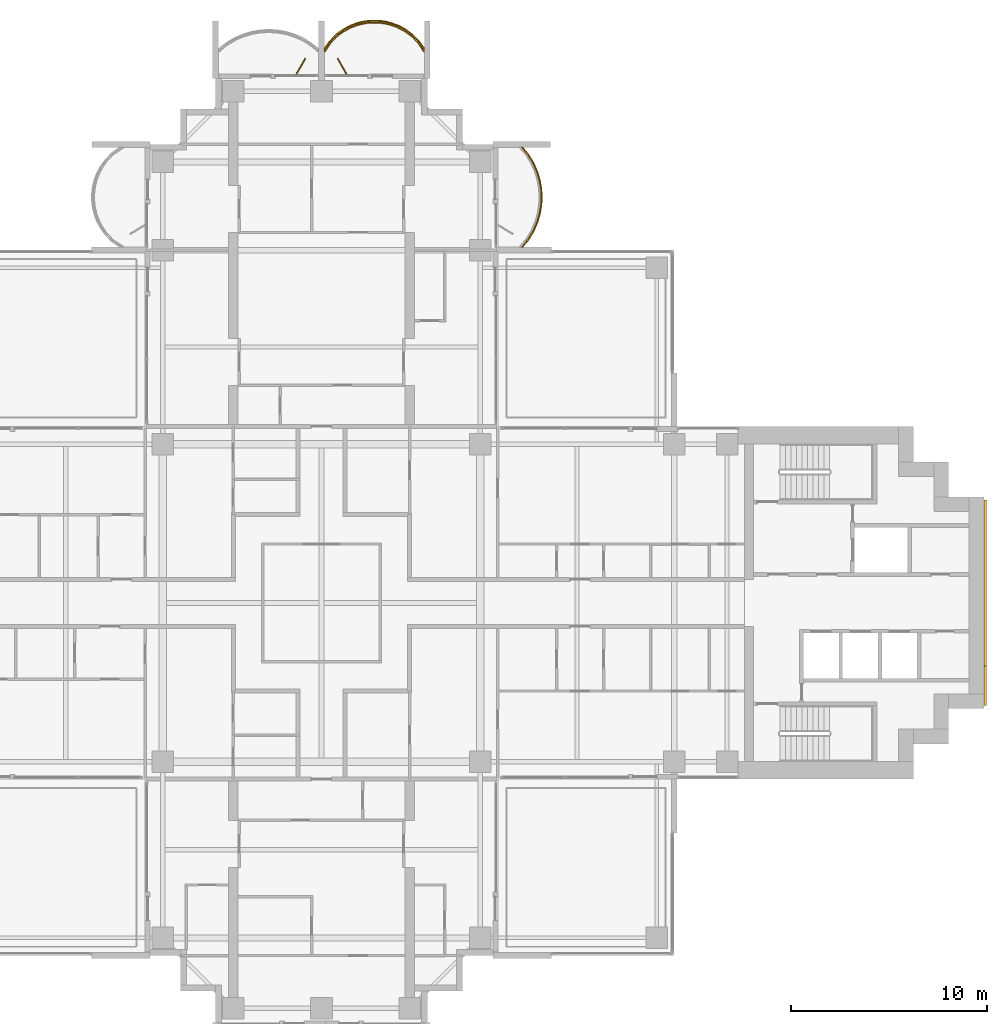
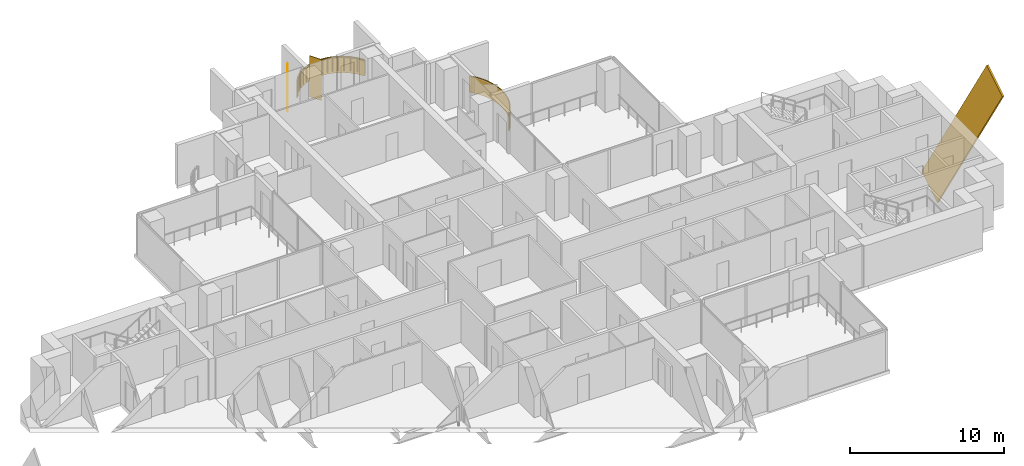
# One storey, part 18 of 18: 3 coverings, 2 shading devices, 1 railing.
"""IFC4 building model written with IfcOpenShell, lengths in metres."""

from ifc_helpers import new_model, si_unit, direction, frame, origin, origin_2d, place, context, subcontext, project, spatial, polyline, rectangle, outline, extrude, material, layer, layer_set, material_profile, profile_set, type_object, element, save


model = new_model("IFC4")

# Units and contexts
model_context = context("Model", 3, precision=1e-05, world=origin(), true_north=direction((0.0, 1.0)))
body_context = subcontext(model_context, "Body", "Model", "MODEL_VIEW")
ifc_project = project(units=[si_unit("LENGTHUNIT", "METRE"), si_unit("AREAUNIT", "SQUARE_METRE"), si_unit("VOLUMEUNIT", "CUBIC_METRE"), si_unit("PLANEANGLEUNIT", "RADIAN"), si_unit("MASSUNIT", "GRAM", prefix="KILO")], contexts=[model_context])

# Site, building, storey
site_placement = place(None, origin())
site = spatial("IfcSite", under=ifc_project, at=site_placement, CompositionType="ELEMENT")
building_placement = place(site_placement, origin())
building = spatial("IfcBuilding", under=site, at=building_placement, Name="Perihelion Cross Residences", CompositionType="ELEMENT")
storey_placement = place(building_placement, frame((0.0, 0.0, 140.89990234375)))
storey = spatial("IfcBuildingStorey", under=building, at=storey_placement, Name="L34", CompositionType="ELEMENT", Elevation=140.89990234375)

# Coverings
ifc_material_1 = material(Name="Bronze anodised aluminium", Category="aluminium")
ifc_layer_1 = layer(ifc_material_1, 0.070068359375)
ifc_layer_set_1 = layer_set([ifc_layer_1], Name="Balcony fascia 1300")
covering_type_1 = type_object("IfcCoveringType", Name="Balcony fascia 1300", PredefinedType="CLADDING", material=ifc_layer_set_1)
covering_1_placement = place(storey_placement, frame((0.0, 0.0, -0.199951171875)))
element("IfcCovering", 1, at=covering_1_placement, inside=storey, type_object=covering_type_1, Name="Fascia BF1 L34 north side east bay 2", PredefinedType="CLADDING", context=body_context, shape_type="SweptSolid", body=[
    extrude(outline(polyline([(10.59765625, 18.53515625), (10.85498046875, 18.96826171875), (11.04248046875, 19.401123046875), (11.170654296875, 19.833984375), (11.245361328125, 20.26708984375), (11.27001953125, 20.699951171875), (11.245361328125, 21.133056640625), (11.170654296875, 21.56591796875), (11.04248046875, 21.998779296875), (10.85498046875, 22.431884765625), (10.59765625, 22.86474609375), (10.28955078125, 23.25), (10.199951171875, 23.25), (10.5400390625, 22.824951171875), (10.792724609375, 22.39990234375), (10.9765625, 21.97509765625), (11.1025390625, 21.550048828125), (11.17578125, 21.125), (11.199951171875, 20.699951171875), (11.17578125, 20.27490234375), (11.1025390625, 19.85009765625), (10.9765625, 19.425048828125), (10.792724609375, 19.0), (10.5400390625, 18.574951171875), (10.199951171875, 18.14990234375), (10.28955078125, 18.14990234375), (10.59765625, 18.53515625)])), origin(), (0.0, 0.0, 1.0), 1.300048828125),
])
covering_2_placement = place(storey_placement, frame((0.0, 0.0, -0.199951171875)))
element("IfcCovering", 2, at=covering_2_placement, inside=storey, type_object=covering_type_1, Name="Fascia BF1 L34 north tip north bay 1", PredefinedType="CLADDING", context=body_context, shape_type="SweptSolid", body=[
    extrude(outline(polyline([(4.963134765625, 28.722412109375), (4.61474609375, 29.060791015625), (4.2666015625, 29.308837890625), (3.91845703125, 29.4912109375), (3.5703125, 29.620361328125), (3.22216796875, 29.703369140625), (2.8740234375, 29.743896484375), (2.52587890625, 29.743896484375), (2.177734375, 29.703369140625), (1.82958984375, 29.620361328125), (1.4814453125, 29.4912109375), (1.13330078125, 29.308837890625), (0.78515625, 29.060791015625), (0.43701171875, 28.722412109375), (0.14990234375, 28.320556640625), (0.14990234375, 28.199951171875), (0.489990234375, 28.6767578125), (0.830078125, 29.007080078125), (1.169921875, 29.2490234375), (1.510009765625, 29.42724609375), (1.85009765625, 29.553466796875), (2.18994140625, 29.63427734375), (2.530029296875, 29.674072265625), (2.8701171875, 29.674072265625), (3.2099609375, 29.63427734375), (3.550048828125, 29.553466796875), (3.889892578125, 29.42724609375), (4.22998046875, 29.2490234375), (4.570068359375, 29.007080078125), (4.909912109375, 28.6767578125), (5.25, 28.199951171875), (5.25, 28.320556640625), (4.963134765625, 28.722412109375)])), origin(), (0.0, 0.0, 1.0), 1.300048828125),
])

# Railing
ifc_material_2 = material(Name="Bronze anodised aluminium", Category="aluminium")
railing_type = type_object("IfcRailingType", Name="Balcony guard 1100", PredefinedType="GUARDRAIL", material=ifc_material_2)
railing_placement = place(storey_placement, frame((5.22509765625, 28.139892578125, 0.0)))
element("IfcRailing", 3, at=railing_placement, inside=storey, type_object=railing_type, Name="Guard GU1 L34 north tip north bay 1 balcony", PredefinedType="GUARDRAIL", context=body_context, shape_type="SweptSolid", body=[
    extrude(rectangle(XDim=0.048095703125, YDim=0.048095703125, at=origin_2d()), frame((0.0, 0.0, 1.076171875), z_axis=(-0.55144309028, 0.834212513801, 0.0), x_axis=(-0.834212513801, -0.55144309028, 0.0)), (0.0, 0.0, 1.0), 0.571533203125),
    extrude(rectangle(XDim=0.048095703125, YDim=0.048095703125, at=origin_2d()), frame((-0.315185546875, 0.476806640625, 1.076171875), z_axis=(-0.717080736691, 0.696990112603, 0.0), x_axis=(-0.696990112603, -0.717080736691, 0.0)), (0.0, 0.0, 1.0), 0.473876953125),
    extrude(rectangle(XDim=0.048095703125, YDim=0.048095703125, at=origin_2d()), frame((-0.655029296875, 0.80712890625, 1.076171875), z_axis=(-0.814562360662, 0.580075995532, 0.0), x_axis=(-0.580075995532, -0.814562360662, 0.0)), (0.0, 0.0, 1.0), 0.41748046875),
    extrude(rectangle(XDim=0.048095703125, YDim=0.048095703125, at=origin_2d()), frame((-0.9951171875, 1.04931640625, 1.076171875), z_axis=(-0.886005761733, 0.463674228502, 0.0), x_axis=(-0.463674228502, -0.886005761733, 0.0)), (0.0, 0.0, 1.0), 0.3837890625),
    extrude(rectangle(XDim=0.048095703125, YDim=0.048095703125, at=origin_2d()), frame((-1.335205078125, 1.227294921875, 1.076171875), z_axis=(-0.937431552165, 0.348169621027, 0.0), x_axis=(-0.348169621027, -0.937431552165, 0.0)), (0.0, 0.0, 1.0), 0.362548828125),
    extrude(rectangle(XDim=0.048095703125, YDim=0.048095703125, at=origin_2d()), frame((-1.675048828125, 1.353515625, 1.076171875), z_axis=(-0.972753741142, 0.231840805498, 0.0), x_axis=(-0.231840805498, -0.972753741142, 0.0)), (0.0, 0.0, 1.0), 0.349609375),
    extrude(rectangle(XDim=0.048095703125, YDim=0.048095703125, at=origin_2d()), frame((-2.01513671875, 1.4345703125, 1.076171875), z_axis=(-0.993295952156, 0.11559909788, 0.0), x_axis=(-0.11559909788, -0.993295952156, 0.0)), (0.0, 0.0, 1.0), 0.342041015625),
    extrude(rectangle(XDim=0.048095703125, YDim=0.048095703125, at=origin_2d()), frame((-2.35498046875, 1.47412109375, 1.076171875), z_axis=(-1.0, 0.0, 0.0), x_axis=(0.0, -1.0, 0.0)), (0.0, 0.0, 1.0), 0.340087890625),
    extrude(rectangle(XDim=0.048095703125, YDim=0.048095703125, at=origin_2d()), frame((-2.695068359375, 1.47412109375, 1.076171875), z_axis=(-0.993305477634, -0.11551721994, 0.0), x_axis=(0.11551721994, -0.993305477634, 0.0)), (0.0, 0.0, 1.0), 0.34228515625),
    extrude(rectangle(XDim=0.048095703125, YDim=0.048095703125, at=origin_2d()), frame((-3.03515625, 1.4345703125, 1.076171875), z_axis=(-0.972716168284, -0.231998396458, 0.0), x_axis=(0.231998396458, -0.972716168284, 0.0)), (0.0, 0.0, 1.0), 0.349365234375),
    extrude(rectangle(XDim=0.048095703125, YDim=0.048095703125, at=origin_2d()), frame((-3.375, 1.353515625, 1.076171875), z_axis=(-0.93751311099, -0.347949948587, 0.0), x_axis=(0.347949948587, -0.93751311099, 0.0)), (0.0, 0.0, 1.0), 0.36279296875),
    extrude(rectangle(XDim=0.048095703125, YDim=0.048095703125, at=origin_2d()), frame((-3.715087890625, 1.227294921875, 1.076171875), z_axis=(-0.886005761733, -0.463674228502, 0.0), x_axis=(0.463674228502, -0.886005761733, 0.0)), (0.0, 0.0, 1.0), 0.3837890625),
    extrude(rectangle(XDim=0.048095703125, YDim=0.048095703125, at=origin_2d()), frame((-4.05517578125, 1.04931640625, 1.076171875), z_axis=(-0.814365457194, -0.580352394782, 0.0), x_axis=(0.580352394782, -0.814365457194, 0.0)), (0.0, 0.0, 1.0), 0.417236328125),
    extrude(rectangle(XDim=0.048095703125, YDim=0.048095703125, at=origin_2d()), frame((-4.39501953125, 0.80712890625, 1.076171875), z_axis=(-0.717330852669, -0.69673269466, 0.0), x_axis=(0.69673269466, -0.717330852669, 0.0)), (0.0, 0.0, 1.0), 0.47412109375),
    extrude(rectangle(XDim=0.048095703125, YDim=0.048095703125, at=origin_2d()), frame((-4.735107421875, 0.476806640625, 1.076171875), z_axis=(-0.551145731138, -0.834409002258, 0.0), x_axis=(0.834409002258, -0.551145731138, 0.0)), (0.0, 0.0, 1.0), 0.571533203125),
    extrude(rectangle(XDim=0.0419921875, YDim=0.0419921875, at=origin_2d()), origin(), (0.0, 0.0, 1.0), 1.052001953125),
    extrude(rectangle(XDim=0.0419921875, YDim=0.0419921875, at=origin_2d()), frame((-0.315185546875, 0.476806640625, 0.0)), (0.0, 0.0, 1.0), 1.052001953125),
    extrude(rectangle(XDim=0.0419921875, YDim=0.0419921875, at=origin_2d()), frame((-0.655029296875, 0.80712890625, 0.0)), (0.0, 0.0, 1.0), 1.052001953125),
    extrude(rectangle(XDim=0.0419921875, YDim=0.0419921875, at=origin_2d()), frame((-0.9951171875, 1.04931640625, 0.0)), (0.0, 0.0, 1.0), 1.052001953125),
    extrude(rectangle(XDim=0.0419921875, YDim=0.0419921875, at=origin_2d()), frame((-1.335205078125, 1.227294921875, 0.0)), (0.0, 0.0, 1.0), 1.052001953125),
    extrude(rectangle(XDim=0.0419921875, YDim=0.0419921875, at=origin_2d()), frame((-1.675048828125, 1.353515625, 0.0)), (0.0, 0.0, 1.0), 1.052001953125),
    extrude(rectangle(XDim=0.0419921875, YDim=0.0419921875, at=origin_2d()), frame((-2.01513671875, 1.4345703125, 0.0)), (0.0, 0.0, 1.0), 1.052001953125),
    extrude(rectangle(XDim=0.0419921875, YDim=0.0419921875, at=origin_2d()), frame((-2.35498046875, 1.47412109375, 0.0)), (0.0, 0.0, 1.0), 1.052001953125),
    extrude(rectangle(XDim=0.0419921875, YDim=0.0419921875, at=origin_2d()), frame((-2.695068359375, 1.47412109375, 0.0)), (0.0, 0.0, 1.0), 1.052001953125),
    extrude(rectangle(XDim=0.0419921875, YDim=0.0419921875, at=origin_2d()), frame((-3.03515625, 1.4345703125, 0.0)), (0.0, 0.0, 1.0), 1.052001953125),
    extrude(rectangle(XDim=0.0419921875, YDim=0.0419921875, at=origin_2d()), frame((-3.375, 1.353515625, 0.0)), (0.0, 0.0, 1.0), 1.052001953125),
    extrude(rectangle(XDim=0.0419921875, YDim=0.0419921875, at=origin_2d()), frame((-3.715087890625, 1.227294921875, 0.0)), (0.0, 0.0, 1.0), 1.052001953125),
    extrude(rectangle(XDim=0.0419921875, YDim=0.0419921875, at=origin_2d()), frame((-4.05517578125, 1.04931640625, 0.0)), (0.0, 0.0, 1.0), 1.052001953125),
    extrude(rectangle(XDim=0.0419921875, YDim=0.0419921875, at=origin_2d()), frame((-4.39501953125, 0.80712890625, 0.0)), (0.0, 0.0, 1.0), 1.052001953125),
    extrude(rectangle(XDim=0.0419921875, YDim=0.0419921875, at=origin_2d()), frame((-4.735107421875, 0.476806640625, 0.0)), (0.0, 0.0, 1.0), 1.052001953125),
    extrude(rectangle(XDim=0.0419921875, YDim=0.0419921875, at=origin_2d()), frame((-5.050048828125, 0.0, 0.0)), (0.0, 0.0, 1.0), 1.052001953125),
])

# Covering
ifc_material_3 = material(Name="Bronze anodised aluminium", Category="aluminium")
ifc_material_profile = material_profile(ifc_material_3, rectangle(XDim=0.125, YDim=2.39990234375, at=origin_2d()), Name="Bronze cladding band 2400")
ifc_profile_set = profile_set([ifc_material_profile], Name="Bronze anodised aluminium")
covering_type_2 = type_object("IfcCoveringType", Name="Bronze cladding band 2400", PredefinedType="CLADDING", material=ifc_profile_set)
covering_3_placement = place(storey_placement, frame((33.862548828125, 4.232421875, -4.45166015625), z_axis=(0.0, -0.529924750763, 0.848044667767), x_axis=(1.0, 0.0, 0.0)))
element("IfcCovering", 4, at=covering_3_placement, inside=storey, type_object=covering_type_2, Name="Core cladding band, east core", PredefinedType="CLADDING", context=body_context, shape_type="SweptSolid", body=[
    extrude(rectangle(XDim=0.125, YDim=2.39990234375, at=origin_2d()), origin(), (0.0, 0.0, 1.0), 15.9736328125),
])

# Shading devices
ifc_material_4 = material(Name="Bronze anodised aluminium", Category="aluminium")
ifc_layer_2 = layer(ifc_material_4, 0.050048828125)
ifc_layer_set_2 = layer_set([ifc_layer_2], Name="Bronze fin 900")
shading_device_type = type_object("IfcShadingDeviceType", Name="Bronze fin 900", PredefinedType="USERDEFINED", material=ifc_layer_set_2)
for number, where, z_axis, x_axis, name in (
    (5, (1.050048828125, 27.3896484375, 0.0), (0.0, 0.0, 1.0), (-0.5, 0.866025403784, 0.0), "Fin FN1 L34 north tip north bay 1"),
    (6, (-1.050048828125, 27.3896484375, 0.0), (0.0, 0.0, 1.0), (0.5, 0.866025403784, 0.0), "Fin FN1 L34 north tip north bay 2"),
):
    element("IfcShadingDevice", number, at=place(storey_placement, frame(where, z_axis=z_axis, x_axis=x_axis)), inside=storey, type_object=shading_device_type, Name=name, ObjectType="FIN", PredefinedType="USERDEFINED", context=body_context, shape_type="SweptSolid", body=[
        extrude(rectangle(XDim=0.89990234375, YDim=0.050048828125, at=origin_2d()), origin(), (0.0, 0.0, 1.0), 3.25),
    ])

save(model, "model.ifc")
